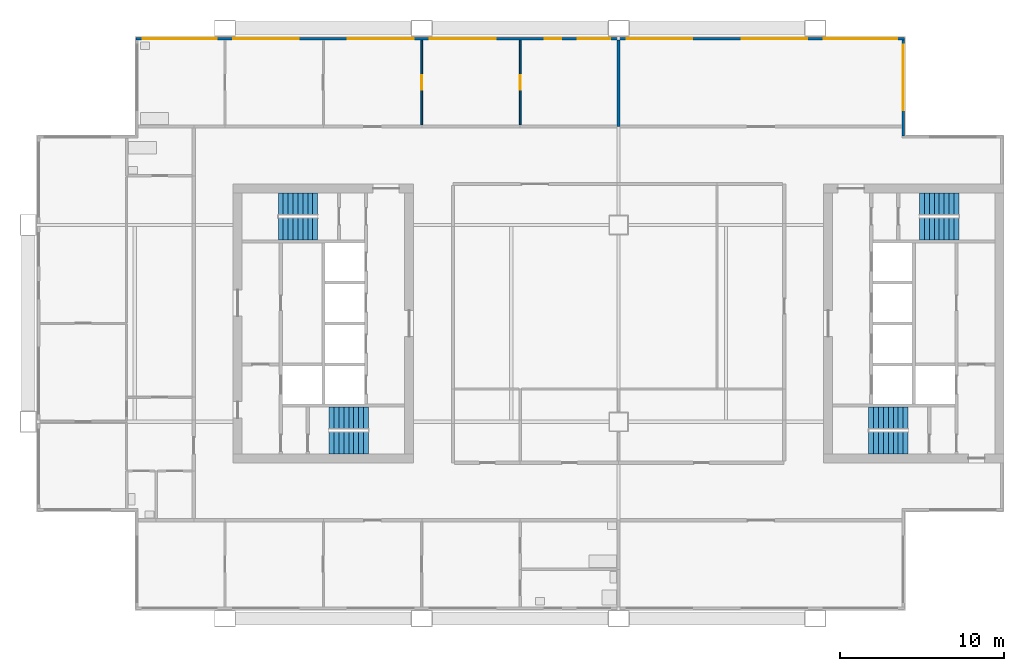
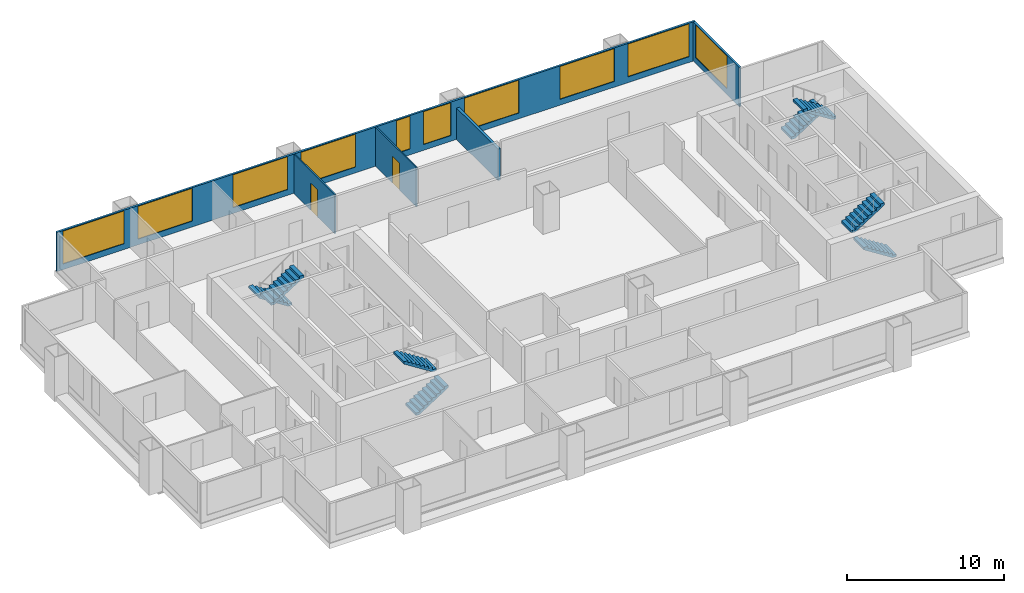
# One storey, part 6 of 8: 10 windows, 8 stair flights, 5 walls, 2 doors, 12 openings, 4 elements without a shape of their own.
"""IFC4 building model written with IfcOpenShell, lengths in metres."""

from ifc_helpers import new_model, si_unit, direction, frame, frame_2d, origin, place, context, subcontext, project, spatial, polyline, rectangle, outline, extrude, material, layer, layer_set, type_object, element, fill, aggregate, save


model = new_model("IFC4")

# Units and contexts
model_context = context("Model", 3, precision=1e-05, world=origin(), true_north=direction((0.0, 1.0)))
body_context = subcontext(model_context, "Body", "Model", "MODEL_VIEW")
ifc_project = project(units=[si_unit("LENGTHUNIT", "METRE"), si_unit("AREAUNIT", "SQUARE_METRE"), si_unit("VOLUMEUNIT", "CUBIC_METRE"), si_unit("PLANEANGLEUNIT", "RADIAN"), si_unit("MASSUNIT", "GRAM", prefix="KILO")], contexts=[model_context])

# Site, building, storey
site_placement = place(None, origin())
site = spatial("IfcSite", under=ifc_project, at=site_placement, CompositionType="ELEMENT")
building_placement = place(site_placement, origin())
building = spatial("IfcBuilding", under=site, at=building_placement, Name="Kitamizu Gate Tower and Museum", CompositionType="ELEMENT")
storey_placement = place(building_placement, frame((0.0, 0.0, 165.14990234375)))
storey = spatial("IfcBuildingStorey", under=building, at=storey_placement, Name="L43", CompositionType="ELEMENT", Elevation=165.14990234375)

# Wall, opening, door
ifc_material_1 = material(Name="Gypsum board on galvanised stud")
ifc_layer_1 = layer(ifc_material_1, 0.10009765625)
ifc_layer_set_1 = layer_set([ifc_layer_1], Name="Gypsum board on galvanised stud")
wall_type_1 = type_object("IfcWallType", Name="Partition 100 NOT RATED", PredefinedType="PARTITIONING", material=ifc_layer_set_1)
wall_1_placement = place(storey_placement, frame((24.0, 42.10009765625, 0.0), z_axis=(0.0, 0.0, 1.0), x_axis=(0.0, 1.0, 0.0)))
wall_1 = element("IfcWall", 1, at=wall_1_placement, inside=storey, type_object=wall_type_1, Name="Partition L43-021", PredefinedType="PARTITIONING", context=body_context, shape_type="SweptSolid", body=[
    extrude(rectangle(XDim=5.179931640625, YDim=0.10009765625, at=frame_2d((2.58984375, 0.0))), origin(), (0.0, 0.0, 1.0), 3.050048828125),
])
opening_1_placement = place(wall_1_placement, frame((2.139892578125, 0.0, 0.0)))
opening_1 = element("IfcOpeningElement", 2, at=opening_1_placement, cuts=wall_1, Name="Opening L43-010", PredefinedType="OPENING", context=body_context, shape_type="SweptSolid", body=[
    extrude(rectangle(XDim=0.89990234375, YDim=2.10009765625, at=frame_2d((0.449951171875, 1.050048828125))), frame((0.0, 0.06005859375, 0.0), z_axis=(0.0, -1.0, 0.0), x_axis=(1.0, 0.0, 0.0)), (0.0, 0.0, 1.0), 0.1201171875),
])
ifc_material_2 = material(Name="Timber door set", Category="wood")
door_type = type_object("IfcDoorType", Name="Room door 900", OperationType="NOTDEFINED", PredefinedType="DOOR", material=ifc_material_2)
door_1_placement = place(opening_1_placement, frame((0.89990234375, 0.0, 0.0), x_axis=(-1.0, 0.0, 0.0)))
door_1 = element("IfcDoor", 3, at=door_1_placement, inside=storey, type_object=door_type, Name="Door L43-010", OperationType="SINGLE_SWING_RIGHT", OverallHeight=2.10009765625, OverallWidth=0.89990234375, PredefinedType="DOOR", context=body_context, shape_type="SweptSolid", body=[
    extrude(rectangle(XDim=0.89990234375, YDim=2.10009765625, at=frame_2d((0.449951171875, 1.050048828125))), frame((0.0, 0.02490234375, 0.0), z_axis=(0.0, -1.0, 0.0), x_axis=(1.0, 0.0, 0.0)), (0.0, 0.0, 1.0), 0.050048828125),
])
fill(opening_1, door_1)

wall_2_placement = place(storey_placement, frame((30.0, 42.10009765625, 0.0), z_axis=(0.0, 0.0, 1.0), x_axis=(0.0, 1.0, 0.0)))
wall_2 = element("IfcWall", 4, at=wall_2_placement, inside=storey, type_object=wall_type_1, Name="Partition L43-023", PredefinedType="PARTITIONING", context=body_context, shape_type="SweptSolid", body=[
    extrude(rectangle(XDim=5.179931640625, YDim=0.10009765625, at=frame_2d((2.58984375, 0.0))), origin(), (0.0, 0.0, 1.0), 3.050048828125),
])
opening_2_placement = place(wall_2_placement, frame((2.139892578125, 0.0, 0.0)))
opening_2 = element("IfcOpeningElement", 5, at=opening_2_placement, cuts=wall_2, Name="Opening L43-011", PredefinedType="OPENING", context=body_context, shape_type="SweptSolid", body=[
    extrude(rectangle(XDim=0.89990234375, YDim=2.10009765625, at=frame_2d((0.449951171875, 1.050048828125))), frame((0.0, 0.06005859375, 0.0), z_axis=(0.0, -1.0, 0.0), x_axis=(1.0, 0.0, 0.0)), (0.0, 0.0, 1.0), 0.1201171875),
])
door_2_placement = place(opening_2_placement, origin())
door_2 = element("IfcDoor", 6, at=door_2_placement, inside=storey, type_object=door_type, Name="Door L43-011", OperationType="SINGLE_SWING_RIGHT", OverallHeight=2.10009765625, OverallWidth=0.89990234375, PredefinedType="DOOR", context=body_context, shape_type="SweptSolid", body=[
    extrude(rectangle(XDim=0.89990234375, YDim=2.10009765625, at=frame_2d((0.449951171875, 1.050048828125))), frame((0.0, 0.02490234375, 0.0), z_axis=(0.0, -1.0, 0.0), x_axis=(1.0, 0.0, 0.0)), (0.0, 0.0, 1.0), 0.050048828125),
])
fill(opening_2, door_2)

# Wall
ifc_material_3 = material(Name="Gypsum board on galvanised stud")
ifc_layer_2 = layer(ifc_material_3, 0.199951171875)
ifc_layer_set_2 = layer_set([ifc_layer_2], Name="Gypsum board on galvanised stud")
wall_type_2 = type_object("IfcWallType", Name="Partition 200", PredefinedType="PARTITIONING", material=ifc_layer_set_2)
wall_3_placement = place(storey_placement, frame((36.0, 42.0, 0.0), z_axis=(0.0, 0.0, 1.0), x_axis=(0.0, 1.0, 0.0)))
element("IfcWall", 7, at=wall_3_placement, inside=storey, type_object=wall_type_2, Name="Partition L43-025", PredefinedType="PARTITIONING", context=body_context, shape_type="SweptSolid", body=[
    extrude(rectangle(XDim=5.280029296875, YDim=0.199951171875, at=frame_2d((2.64013671875, 0.0))), origin(), (0.0, 0.0, 1.0), 2.4501953125),
])

# Wall, opening, window
ifc_material_4 = material(Name="Bronze anodised aluminium frame with insulated spandrel and tinted glass", Category="aluminium")
ifc_layer_3 = layer(ifc_material_4, 0.14990234375)
ifc_layer_set_3 = layer_set([ifc_layer_3], Name="Bronze anodised aluminium frame with insulated spandrel and tinted glass")
wall_type_3 = type_object("IfcWallType", Name="WINDOW WALL 150 BRONZE FRAME EI 30", PredefinedType="ELEMENTEDWALL", material=ifc_layer_set_3)
wall_4_placement = place(storey_placement, frame((53.364990234375, 41.43994140625, 0.0), z_axis=(0.0, 0.0, 1.0), x_axis=(0.0, 1.0, 0.0)))
wall_4 = element("IfcWall", 8, at=wall_4_placement, inside=storey, type_object=wall_type_3, Name="Window wall east L43", PredefinedType="ELEMENTEDWALL", context=body_context, shape_type="SweptSolid", body=[
    extrude(rectangle(XDim=5.85009765625, YDim=0.14990234375, at=frame_2d((2.925048828125, 0.0))), origin(), (0.0, 0.0, 1.0), 3.050048828125),
])
opening_3_placement = place(wall_4_placement, frame((1.56005859375, 0.0, 0.449951171875)))
opening_3 = element("IfcOpeningElement", 9, at=opening_3_placement, cuts=wall_4, Name="Opening W16", PredefinedType="OPENING", context=body_context, shape_type="SweptSolid", body=[
    extrude(rectangle(XDim=4.0, YDim=2.550048828125, at=frame_2d((2.0, 1.27490234375))), frame((0.0, 0.0849609375, 0.0), z_axis=(0.0, -1.0, 0.0), x_axis=(1.0, 0.0, 0.0)), (0.0, 0.0, 1.0), 0.169921875),
])
ifc_material_5 = material(Name="Bronze anodised aluminium frame, tinted triple glazing", Category="aluminium")
window_type_1 = type_object("IfcWindowType", Name="WINDOW 4000 x 2550 SILL 450", PartitioningType="SINGLE_PANEL", PredefinedType="WINDOW", material=ifc_material_5)
window_1_placement = place(opening_3_placement, origin())
window_1 = element("IfcWindow", 10, at=window_1_placement, inside=storey, type_object=window_type_1, Name="Window W16 L43", OverallHeight=2.550048828125, OverallWidth=4.0, PartitioningType="SINGLE_PANEL", PredefinedType="WINDOW", context=body_context, shape_type="SweptSolid", body=[
    extrude(rectangle(XDim=4.0, YDim=2.550048828125, at=frame_2d((2.0, 1.27490234375))), frame((0.0, 0.030029296875, 0.0), z_axis=(0.0, -1.0, 0.0), x_axis=(1.0, 0.0, 0.0)), (0.0, 0.0, 1.0), 0.06005859375),
])
fill(opening_3, window_1)

# Wall, openings, windows
wall_5_placement = place(storey_placement, frame((6.56005859375, 47.364990234375, 0.0), z_axis=(0.0, 0.0, 1.0), x_axis=(1.0, 0.0, 0.0)))
wall_5 = element("IfcWall", 11, at=wall_5_placement, inside=storey, type_object=wall_type_3, Name="Window wall north L43", PredefinedType="ELEMENTEDWALL", context=body_context, shape_type="SweptSolid", body=[
    extrude(rectangle(XDim=46.8798828125, YDim=0.14990234375, at=frame_2d((23.43994140625, 0.0))), origin(), (0.0, 0.0, 1.0), 3.050048828125),
])
opening_4_placement = place(wall_5_placement, frame((0.43994140625, 0.0, 0.449951171875)))
opening_4 = element("IfcOpeningElement", 12, at=opening_4_placement, cuts=wall_5, Name="Opening W15", PredefinedType="OPENING", context=body_context, shape_type="SweptSolid", body=[
    extrude(rectangle(XDim=4.5, YDim=2.550048828125, at=frame_2d((2.25, 1.27490234375))), frame((0.0, 0.0849609375, 0.0), z_axis=(0.0, -1.0, 0.0), x_axis=(1.0, 0.0, 0.0)), (0.0, 0.0, 1.0), 0.169921875),
])
opening_5_placement = place(wall_5_placement, frame((5.93994140625, 0.0, 0.449951171875)))
opening_5 = element("IfcOpeningElement", 13, at=opening_5_placement, cuts=wall_5, Name="Opening W16", PredefinedType="OPENING", context=body_context, shape_type="SweptSolid", body=[
    extrude(rectangle(XDim=4.0, YDim=2.550048828125, at=frame_2d((2.0, 1.27490234375))), frame((0.0, 0.0849609375, 0.0), z_axis=(0.0, -1.0, 0.0), x_axis=(1.0, 0.0, 0.0)), (0.0, 0.0, 1.0), 0.169921875),
])
opening_6_placement = place(wall_5_placement, frame((12.93994140625, 0.0, 0.449951171875)))
opening_6 = element("IfcOpeningElement", 14, at=opening_6_placement, cuts=wall_5, Name="Opening W16", PredefinedType="OPENING", context=body_context, shape_type="SweptSolid", body=[
    extrude(rectangle(XDim=4.0, YDim=2.550048828125, at=frame_2d((2.0, 1.27490234375))), frame((0.0, 0.0849609375, 0.0), z_axis=(0.0, -1.0, 0.0), x_axis=(1.0, 0.0, 0.0)), (0.0, 0.0, 1.0), 0.169921875),
])
opening_7_placement = place(wall_5_placement, frame((17.93994140625, 0.0, 0.449951171875)))
opening_7 = element("IfcOpeningElement", 15, at=opening_7_placement, cuts=wall_5, Name="Opening W16", PredefinedType="OPENING", context=body_context, shape_type="SweptSolid", body=[
    extrude(rectangle(XDim=4.0, YDim=2.550048828125, at=frame_2d((2.0, 1.27490234375))), frame((0.0, 0.0849609375, 0.0), z_axis=(0.0, -1.0, 0.0), x_axis=(1.0, 0.0, 0.0)), (0.0, 0.0, 1.0), 0.169921875),
])
opening_8_placement = place(wall_5_placement, frame((24.93994140625, 0.0, 0.449951171875)))
opening_8 = element("IfcOpeningElement", 16, at=opening_8_placement, cuts=wall_5, Name="Opening W26", PredefinedType="OPENING", context=body_context, shape_type="SweptSolid", body=[
    extrude(rectangle(XDim=1.0, YDim=2.550048828125, at=frame_2d((0.5, 1.27490234375))), frame((0.0, 0.0849609375, 0.0), z_axis=(0.0, -1.0, 0.0), x_axis=(1.0, 0.0, 0.0)), (0.0, 0.0, 1.0), 0.169921875),
])
opening_9_placement = place(wall_5_placement, frame((26.93994140625, 0.0, 0.449951171875)))
opening_9 = element("IfcOpeningElement", 17, at=opening_9_placement, cuts=wall_5, Name="Opening W2", PredefinedType="OPENING", context=body_context, shape_type="SweptSolid", body=[
    extrude(rectangle(XDim=2.0, YDim=2.550048828125, at=frame_2d((1.0, 1.27490234375))), frame((0.0, 0.0849609375, 0.0), z_axis=(0.0, -1.0, 0.0), x_axis=(1.0, 0.0, 0.0)), (0.0, 0.0, 1.0), 0.169921875),
])
opening_10_placement = place(wall_5_placement, frame((29.93994140625, 0.0, 0.449951171875)))
opening_10 = element("IfcOpeningElement", 18, at=opening_10_placement, cuts=wall_5, Name="Opening W16", PredefinedType="OPENING", context=body_context, shape_type="SweptSolid", body=[
    extrude(rectangle(XDim=4.0, YDim=2.550048828125, at=frame_2d((2.0, 1.27490234375))), frame((0.0, 0.0849609375, 0.0), z_axis=(0.0, -1.0, 0.0), x_axis=(1.0, 0.0, 0.0)), (0.0, 0.0, 1.0), 0.169921875),
])
opening_11_placement = place(wall_5_placement, frame((36.93994140625, 0.0, 0.449951171875)))
opening_11 = element("IfcOpeningElement", 19, at=opening_11_placement, cuts=wall_5, Name="Opening W16", PredefinedType="OPENING", context=body_context, shape_type="SweptSolid", body=[
    extrude(rectangle(XDim=4.0, YDim=2.550048828125, at=frame_2d((2.0, 1.27490234375))), frame((0.0, 0.0849609375, 0.0), z_axis=(0.0, -1.0, 0.0), x_axis=(1.0, 0.0, 0.0)), (0.0, 0.0, 1.0), 0.169921875),
])
opening_12_placement = place(wall_5_placement, frame((41.93994140625, 0.0, 0.449951171875)))
opening_12 = element("IfcOpeningElement", 20, at=opening_12_placement, cuts=wall_5, Name="Opening W15", PredefinedType="OPENING", context=body_context, shape_type="SweptSolid", body=[
    extrude(rectangle(XDim=4.5, YDim=2.550048828125, at=frame_2d((2.25, 1.27490234375))), frame((0.0, 0.0849609375, 0.0), z_axis=(0.0, -1.0, 0.0), x_axis=(1.0, 0.0, 0.0)), (0.0, 0.0, 1.0), 0.169921875),
])
ifc_material_6 = material(Name="Bronze anodised aluminium frame, tinted triple glazing", Category="aluminium")
window_type_2 = type_object("IfcWindowType", Name="WINDOW 1000 x 2550 SILL 450", PartitioningType="SINGLE_PANEL", PredefinedType="WINDOW", material=ifc_material_6)
window_2_placement = place(opening_8_placement, origin())
window_2 = element("IfcWindow", 21, at=window_2_placement, inside=storey, type_object=window_type_2, Name="Window W26 L43", OverallHeight=2.550048828125, OverallWidth=1.0, PartitioningType="SINGLE_PANEL", PredefinedType="WINDOW", context=body_context, shape_type="SweptSolid", body=[
    extrude(rectangle(XDim=1.0, YDim=2.550048828125, at=frame_2d((0.5, 1.27490234375))), frame((0.0, 0.030029296875, 0.0), z_axis=(0.0, -1.0, 0.0), x_axis=(1.0, 0.0, 0.0)), (0.0, 0.0, 1.0), 0.06005859375),
])
fill(opening_8, window_2)
ifc_material_7 = material(Name="Bronze anodised aluminium frame, tinted triple glazing", Category="aluminium")
window_type_3 = type_object("IfcWindowType", Name="WINDOW 2000 x 2550 SILL 450", PartitioningType="SINGLE_PANEL", PredefinedType="WINDOW", material=ifc_material_7)
window_3_placement = place(opening_9_placement, origin())
window_3 = element("IfcWindow", 22, at=window_3_placement, inside=storey, type_object=window_type_3, Name="Window W2 L43", OverallHeight=2.550048828125, OverallWidth=2.0, PartitioningType="SINGLE_PANEL", PredefinedType="WINDOW", context=body_context, shape_type="SweptSolid", body=[
    extrude(rectangle(XDim=2.0, YDim=2.550048828125, at=frame_2d((1.0, 1.27490234375))), frame((0.0, 0.030029296875, 0.0), z_axis=(0.0, -1.0, 0.0), x_axis=(1.0, 0.0, 0.0)), (0.0, 0.0, 1.0), 0.06005859375),
])
fill(opening_9, window_3)
window_4_placement = place(opening_5_placement, origin())
window_4 = element("IfcWindow", 23, at=window_4_placement, inside=storey, type_object=window_type_1, Name="Window W16 L43", OverallHeight=2.550048828125, OverallWidth=4.0, PartitioningType="SINGLE_PANEL", PredefinedType="WINDOW", context=body_context, shape_type="SweptSolid", body=[
    extrude(rectangle(XDim=4.0, YDim=2.550048828125, at=frame_2d((2.0, 1.27490234375))), frame((0.0, 0.030029296875, 0.0), z_axis=(0.0, -1.0, 0.0), x_axis=(1.0, 0.0, 0.0)), (0.0, 0.0, 1.0), 0.06005859375),
])
fill(opening_5, window_4)
window_5_placement = place(opening_6_placement, origin())
window_5 = element("IfcWindow", 24, at=window_5_placement, inside=storey, type_object=window_type_1, Name="Window W16 L43", OverallHeight=2.550048828125, OverallWidth=4.0, PartitioningType="SINGLE_PANEL", PredefinedType="WINDOW", context=body_context, shape_type="SweptSolid", body=[
    extrude(rectangle(XDim=4.0, YDim=2.550048828125, at=frame_2d((2.0, 1.27490234375))), frame((0.0, 0.030029296875, 0.0), z_axis=(0.0, -1.0, 0.0), x_axis=(1.0, 0.0, 0.0)), (0.0, 0.0, 1.0), 0.06005859375),
])
fill(opening_6, window_5)
window_6_placement = place(opening_7_placement, origin())
window_6 = element("IfcWindow", 25, at=window_6_placement, inside=storey, type_object=window_type_1, Name="Window W16 L43", OverallHeight=2.550048828125, OverallWidth=4.0, PartitioningType="SINGLE_PANEL", PredefinedType="WINDOW", context=body_context, shape_type="SweptSolid", body=[
    extrude(rectangle(XDim=4.0, YDim=2.550048828125, at=frame_2d((2.0, 1.27490234375))), frame((0.0, 0.030029296875, 0.0), z_axis=(0.0, -1.0, 0.0), x_axis=(1.0, 0.0, 0.0)), (0.0, 0.0, 1.0), 0.06005859375),
])
fill(opening_7, window_6)
window_7_placement = place(opening_10_placement, origin())
window_7 = element("IfcWindow", 26, at=window_7_placement, inside=storey, type_object=window_type_1, Name="Window W16 L43", OverallHeight=2.550048828125, OverallWidth=4.0, PartitioningType="SINGLE_PANEL", PredefinedType="WINDOW", context=body_context, shape_type="SweptSolid", body=[
    extrude(rectangle(XDim=4.0, YDim=2.550048828125, at=frame_2d((2.0, 1.27490234375))), frame((0.0, 0.030029296875, 0.0), z_axis=(0.0, -1.0, 0.0), x_axis=(1.0, 0.0, 0.0)), (0.0, 0.0, 1.0), 0.06005859375),
])
fill(opening_10, window_7)
window_8_placement = place(opening_11_placement, origin())
window_8 = element("IfcWindow", 27, at=window_8_placement, inside=storey, type_object=window_type_1, Name="Window W16 L43", OverallHeight=2.550048828125, OverallWidth=4.0, PartitioningType="SINGLE_PANEL", PredefinedType="WINDOW", context=body_context, shape_type="SweptSolid", body=[
    extrude(rectangle(XDim=4.0, YDim=2.550048828125, at=frame_2d((2.0, 1.27490234375))), frame((0.0, 0.030029296875, 0.0), z_axis=(0.0, -1.0, 0.0), x_axis=(1.0, 0.0, 0.0)), (0.0, 0.0, 1.0), 0.06005859375),
])
fill(opening_11, window_8)
ifc_material_8 = material(Name="Bronze anodised aluminium frame, tinted triple glazing", Category="aluminium")
window_type_4 = type_object("IfcWindowType", Name="WINDOW 4500 x 2550 SILL 450", PartitioningType="SINGLE_PANEL", PredefinedType="WINDOW", material=ifc_material_8)
window_9_placement = place(opening_4_placement, origin())
window_9 = element("IfcWindow", 28, at=window_9_placement, inside=storey, type_object=window_type_4, Name="Window W15 L43", OverallHeight=2.550048828125, OverallWidth=4.5, PartitioningType="SINGLE_PANEL", PredefinedType="WINDOW", context=body_context, shape_type="SweptSolid", body=[
    extrude(rectangle(XDim=4.5, YDim=2.550048828125, at=frame_2d((2.25, 1.27490234375))), frame((0.0, 0.030029296875, 0.0), z_axis=(0.0, -1.0, 0.0), x_axis=(1.0, 0.0, 0.0)), (0.0, 0.0, 1.0), 0.06005859375),
])
fill(opening_4, window_9)
window_10_placement = place(opening_12_placement, origin())
window_10 = element("IfcWindow", 29, at=window_10_placement, inside=storey, type_object=window_type_4, Name="Window W15 L43", OverallHeight=2.550048828125, OverallWidth=4.5, PartitioningType="SINGLE_PANEL", PredefinedType="WINDOW", context=body_context, shape_type="SweptSolid", body=[
    extrude(rectangle(XDim=4.5, YDim=2.550048828125, at=frame_2d((2.25, 1.27490234375))), frame((0.0, 0.030029296875, 0.0), z_axis=(0.0, -1.0, 0.0), x_axis=(1.0, 0.0, 0.0)), (0.0, 0.0, 1.0), 0.06005859375),
])
fill(opening_12, window_10)

# Stair, stair flights
ifc_material_9 = material(Name="Concrete Fc42", Category="concrete")
stair_type = type_object("IfcStairType", Name="Exit stair 1325 wide 192 rise 300 going", PredefinedType="HALF_TURN_STAIR", material=ifc_material_9)
stair_1_placement = place(storey_placement, origin())
stair_1 = element("IfcStair", 30, at=stair_1_placement, inside=storey, type_object=stair_type, Name="Exit stair ST1", PredefinedType="HALF_TURN_STAIR")
ifc_material_10 = material(Name="Concrete Fc42", Category="concrete")
stair_flight_type = type_object("IfcStairFlightType", Name="Stair flight 1325 wide 192 rise 300 going", PredefinedType="STRAIGHT", material=ifc_material_10)
stair_flight_1_placement = place(storey_placement, frame((18.35009765625, 22.71240234375, 0.0), z_axis=(0.0, 0.0, 1.0), x_axis=(1.0, 0.0, 0.0)))
stair_flight_1 = element("IfcStairFlight", 31, at=stair_flight_1_placement, type_object=stair_flight_type, Name="ST1 flight 1", NumberOfRisers=9, NumberOfTreads=8, PredefinedType="STRAIGHT", RiserHeight=0.191666667, TreadLength=0.3, context=body_context, shape_type="SweptSolid", body=[
    extrude(outline(polyline([(0.0, 0.0), (0.0, 0.191650390625), (0.300048828125, 0.191650390625), (0.300048828125, 0.38330078125), (0.60009765625, 0.38330078125), (0.60009765625, 0.574951171875), (0.89990234375, 0.574951171875), (0.89990234375, 0.7666015625), (1.199951171875, 0.7666015625), (1.199951171875, 0.958251953125), (1.5, 0.958251953125), (1.5, 1.14990234375), (1.800048828125, 1.14990234375), (1.800048828125, 1.341552734375), (2.10009765625, 1.341552734375), (2.10009765625, 1.533447265625), (2.39990234375, 1.533447265625), (2.39990234375, 1.72509765625), (2.39990234375, 1.35546875), (0.2783203125, 0.0), (0.0, 0.0)])), frame((0.0, 0.66259765625, 0.0), z_axis=(0.0, -1.0, 0.0), x_axis=(1.0, 0.0, 0.0)), (0.0, 0.0, 1.0), 1.324951171875),
])
stair_flight_2_placement = place(storey_placement, frame((20.75, 24.237548828125, 1.72509765625), z_axis=(0.0, 0.0, 1.0), x_axis=(-1.0, 0.0, 0.0)))
stair_flight_2 = element("IfcStairFlight", 32, at=stair_flight_2_placement, type_object=stair_flight_type, Name="ST1 flight 2", NumberOfRisers=9, NumberOfTreads=8, PredefinedType="STRAIGHT", RiserHeight=0.191666667, TreadLength=0.3, context=body_context, shape_type="SweptSolid", body=[
    extrude(outline(polyline([(0.0, 0.0), (0.0, 0.191650390625), (0.300048828125, 0.191650390625), (0.300048828125, 0.38330078125), (0.60009765625, 0.38330078125), (0.60009765625, 0.574951171875), (0.89990234375, 0.574951171875), (0.89990234375, 0.7666015625), (1.199951171875, 0.7666015625), (1.199951171875, 0.958251953125), (1.5, 0.958251953125), (1.5, 1.14990234375), (1.800048828125, 1.14990234375), (1.800048828125, 1.341552734375), (2.10009765625, 1.341552734375), (2.10009765625, 1.533447265625), (2.39990234375, 1.533447265625), (2.39990234375, 1.72509765625), (2.39990234375, 1.35546875), (0.2783203125, 0.0), (0.0, 0.0)])), frame((0.0, 0.66259765625, 0.0), z_axis=(0.0, -1.0, 0.0), x_axis=(1.0, 0.0, 0.0)), (0.0, 0.0, 1.0), 1.324951171875),
])
aggregate(stair_1, [stair_flight_1, stair_flight_2])

stair_2_placement = place(storey_placement, origin())
stair_2 = element("IfcStair", 33, at=stair_2_placement, inside=storey, type_object=stair_type, Name="Exit stair ST2", PredefinedType="HALF_TURN_STAIR")
stair_flight_3_placement = place(storey_placement, frame((17.64990234375, 37.28759765625, 0.0), z_axis=(0.0, 0.0, 1.0), x_axis=(-1.0, 0.0, 0.0)))
stair_flight_3 = element("IfcStairFlight", 34, at=stair_flight_3_placement, type_object=stair_flight_type, Name="ST2 flight 1", NumberOfRisers=9, NumberOfTreads=8, PredefinedType="STRAIGHT", RiserHeight=0.191666667, TreadLength=0.3, context=body_context, shape_type="SweptSolid", body=[
    extrude(outline(polyline([(0.0, 0.0), (0.0, 0.191650390625), (0.300048828125, 0.191650390625), (0.300048828125, 0.38330078125), (0.60009765625, 0.38330078125), (0.60009765625, 0.574951171875), (0.89990234375, 0.574951171875), (0.89990234375, 0.7666015625), (1.199951171875, 0.7666015625), (1.199951171875, 0.958251953125), (1.5, 0.958251953125), (1.5, 1.14990234375), (1.800048828125, 1.14990234375), (1.800048828125, 1.341552734375), (2.10009765625, 1.341552734375), (2.10009765625, 1.533447265625), (2.39990234375, 1.533447265625), (2.39990234375, 1.72509765625), (2.39990234375, 1.35546875), (0.2783203125, 0.0), (0.0, 0.0)])), frame((0.0, 0.66259765625, 0.0), z_axis=(0.0, -1.0, 0.0), x_axis=(1.0, 0.0, 0.0)), (0.0, 0.0, 1.0), 1.324951171875),
])
stair_flight_4_placement = place(storey_placement, frame((15.25, 35.762451171875, 1.72509765625), z_axis=(0.0, 0.0, 1.0), x_axis=(1.0, 0.0, 0.0)))
stair_flight_4 = element("IfcStairFlight", 35, at=stair_flight_4_placement, type_object=stair_flight_type, Name="ST2 flight 2", NumberOfRisers=9, NumberOfTreads=8, PredefinedType="STRAIGHT", RiserHeight=0.191666667, TreadLength=0.3, context=body_context, shape_type="SweptSolid", body=[
    extrude(outline(polyline([(0.0, 0.0), (0.0, 0.191650390625), (0.300048828125, 0.191650390625), (0.300048828125, 0.38330078125), (0.60009765625, 0.38330078125), (0.60009765625, 0.574951171875), (0.89990234375, 0.574951171875), (0.89990234375, 0.7666015625), (1.199951171875, 0.7666015625), (1.199951171875, 0.958251953125), (1.5, 0.958251953125), (1.5, 1.14990234375), (1.800048828125, 1.14990234375), (1.800048828125, 1.341552734375), (2.10009765625, 1.341552734375), (2.10009765625, 1.533447265625), (2.39990234375, 1.533447265625), (2.39990234375, 1.72509765625), (2.39990234375, 1.35546875), (0.2783203125, 0.0), (0.0, 0.0)])), frame((0.0, 0.66259765625, 0.0), z_axis=(0.0, -1.0, 0.0), x_axis=(1.0, 0.0, 0.0)), (0.0, 0.0, 1.0), 1.324951171875),
])
aggregate(stair_2, [stair_flight_3, stair_flight_4])

stair_3_placement = place(storey_placement, origin())
stair_3 = element("IfcStair", 36, at=stair_3_placement, inside=storey, type_object=stair_type, Name="Exit stair ST3", PredefinedType="HALF_TURN_STAIR")
stair_flight_5_placement = place(storey_placement, frame((53.64990234375, 22.71240234375, 0.0), z_axis=(0.0, 0.0, 1.0), x_axis=(-1.0, 0.0, 0.0)))
stair_flight_5 = element("IfcStairFlight", 37, at=stair_flight_5_placement, type_object=stair_flight_type, Name="ST3 flight 1", NumberOfRisers=9, NumberOfTreads=8, PredefinedType="STRAIGHT", RiserHeight=0.191666667, TreadLength=0.3, context=body_context, shape_type="SweptSolid", body=[
    extrude(outline(polyline([(0.0, 0.0), (0.0, 0.191650390625), (0.300048828125, 0.191650390625), (0.300048828125, 0.38330078125), (0.60009765625, 0.38330078125), (0.60009765625, 0.574951171875), (0.89990234375, 0.574951171875), (0.89990234375, 0.7666015625), (1.199951171875, 0.7666015625), (1.199951171875, 0.958251953125), (1.5, 0.958251953125), (1.5, 1.14990234375), (1.800048828125, 1.14990234375), (1.800048828125, 1.341552734375), (2.10009765625, 1.341552734375), (2.10009765625, 1.533447265625), (2.39990234375, 1.533447265625), (2.39990234375, 1.72509765625), (2.39990234375, 1.35546875), (0.2783203125, 0.0), (0.0, 0.0)])), frame((0.0, 0.66259765625, 0.0), z_axis=(0.0, -1.0, 0.0), x_axis=(1.0, 0.0, 0.0)), (0.0, 0.0, 1.0), 1.324951171875),
])
stair_flight_6_placement = place(storey_placement, frame((51.25, 24.237548828125, 1.72509765625), z_axis=(0.0, 0.0, 1.0), x_axis=(1.0, 0.0, 0.0)))
stair_flight_6 = element("IfcStairFlight", 38, at=stair_flight_6_placement, type_object=stair_flight_type, Name="ST3 flight 2", NumberOfRisers=9, NumberOfTreads=8, PredefinedType="STRAIGHT", RiserHeight=0.191666667, TreadLength=0.3, context=body_context, shape_type="SweptSolid", body=[
    extrude(outline(polyline([(0.0, 0.0), (0.0, 0.191650390625), (0.300048828125, 0.191650390625), (0.300048828125, 0.38330078125), (0.60009765625, 0.38330078125), (0.60009765625, 0.574951171875), (0.89990234375, 0.574951171875), (0.89990234375, 0.7666015625), (1.199951171875, 0.7666015625), (1.199951171875, 0.958251953125), (1.5, 0.958251953125), (1.5, 1.14990234375), (1.800048828125, 1.14990234375), (1.800048828125, 1.341552734375), (2.10009765625, 1.341552734375), (2.10009765625, 1.533447265625), (2.39990234375, 1.533447265625), (2.39990234375, 1.72509765625), (2.39990234375, 1.35546875), (0.2783203125, 0.0), (0.0, 0.0)])), frame((0.0, 0.66259765625, 0.0), z_axis=(0.0, -1.0, 0.0), x_axis=(1.0, 0.0, 0.0)), (0.0, 0.0, 1.0), 1.324951171875),
])
aggregate(stair_3, [stair_flight_5, stair_flight_6])

stair_4_placement = place(storey_placement, origin())
stair_4 = element("IfcStair", 39, at=stair_4_placement, inside=storey, type_object=stair_type, Name="Exit stair ST4", PredefinedType="HALF_TURN_STAIR")
stair_flight_7_placement = place(storey_placement, frame((54.35009765625, 37.28759765625, 0.0), z_axis=(0.0, 0.0, 1.0), x_axis=(1.0, 0.0, 0.0)))
stair_flight_7 = element("IfcStairFlight", 40, at=stair_flight_7_placement, type_object=stair_flight_type, Name="ST4 flight 1", NumberOfRisers=9, NumberOfTreads=8, PredefinedType="STRAIGHT", RiserHeight=0.191666667, TreadLength=0.3, context=body_context, shape_type="SweptSolid", body=[
    extrude(outline(polyline([(0.0, 0.0), (0.0, 0.191650390625), (0.300048828125, 0.191650390625), (0.300048828125, 0.38330078125), (0.60009765625, 0.38330078125), (0.60009765625, 0.574951171875), (0.89990234375, 0.574951171875), (0.89990234375, 0.7666015625), (1.199951171875, 0.7666015625), (1.199951171875, 0.958251953125), (1.5, 0.958251953125), (1.5, 1.14990234375), (1.800048828125, 1.14990234375), (1.800048828125, 1.341552734375), (2.10009765625, 1.341552734375), (2.10009765625, 1.533447265625), (2.39990234375, 1.533447265625), (2.39990234375, 1.72509765625), (2.39990234375, 1.35546875), (0.2783203125, 0.0), (0.0, 0.0)])), frame((0.0, 0.66259765625, 0.0), z_axis=(0.0, -1.0, 0.0), x_axis=(1.0, 0.0, 0.0)), (0.0, 0.0, 1.0), 1.324951171875),
])
stair_flight_8_placement = place(storey_placement, frame((56.75, 35.762451171875, 1.72509765625), z_axis=(0.0, 0.0, 1.0), x_axis=(-1.0, 0.0, 0.0)))
stair_flight_8 = element("IfcStairFlight", 41, at=stair_flight_8_placement, type_object=stair_flight_type, Name="ST4 flight 2", NumberOfRisers=9, NumberOfTreads=8, PredefinedType="STRAIGHT", RiserHeight=0.191666667, TreadLength=0.3, context=body_context, shape_type="SweptSolid", body=[
    extrude(outline(polyline([(0.0, 0.0), (0.0, 0.191650390625), (0.300048828125, 0.191650390625), (0.300048828125, 0.38330078125), (0.60009765625, 0.38330078125), (0.60009765625, 0.574951171875), (0.89990234375, 0.574951171875), (0.89990234375, 0.7666015625), (1.199951171875, 0.7666015625), (1.199951171875, 0.958251953125), (1.5, 0.958251953125), (1.5, 1.14990234375), (1.800048828125, 1.14990234375), (1.800048828125, 1.341552734375), (2.10009765625, 1.341552734375), (2.10009765625, 1.533447265625), (2.39990234375, 1.533447265625), (2.39990234375, 1.72509765625), (2.39990234375, 1.35546875), (0.2783203125, 0.0), (0.0, 0.0)])), frame((0.0, 0.66259765625, 0.0), z_axis=(0.0, -1.0, 0.0), x_axis=(1.0, 0.0, 0.0)), (0.0, 0.0, 1.0), 1.324951171875),
])
aggregate(stair_4, [stair_flight_7, stair_flight_8])

save(model, "model.ifc")
